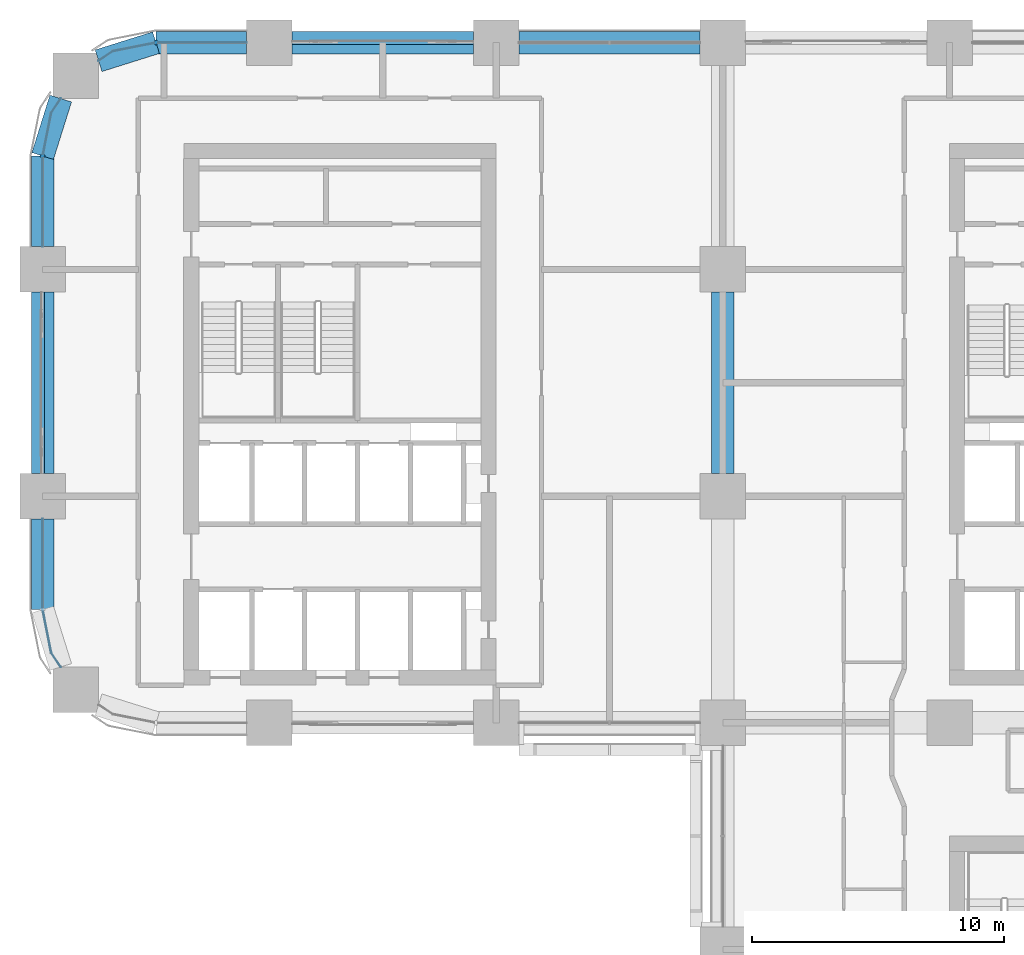
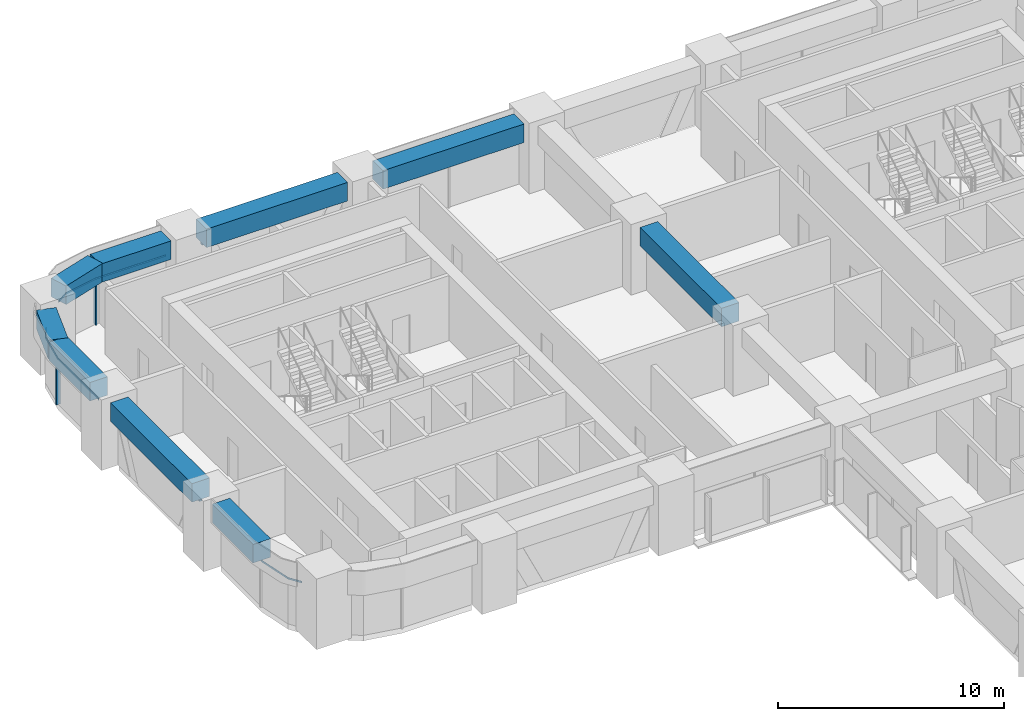
# One storey, part 6 of 18: 9 beams, 7 members, 5 elements without a shape of their own.
"""IFC4 building model written with IfcOpenShell, lengths in metres."""

from ifc_helpers import new_model, si_unit, direction, frame, origin, origin_2d, place, context, subcontext, project, spatial, polyline, rectangle, outline, extrude, material, material_profile, profile_set, type_object, element, aggregate, save


model = new_model("IFC4")

# Units and contexts
model_context = context("Model", 3, precision=1e-05, world=origin(), true_north=direction((0.0, 1.0)))
body_context = subcontext(model_context, "Body", "Model", "MODEL_VIEW")
ifc_project = project(units=[si_unit("LENGTHUNIT", "METRE"), si_unit("AREAUNIT", "SQUARE_METRE"), si_unit("VOLUMEUNIT", "CUBIC_METRE"), si_unit("PLANEANGLEUNIT", "RADIAN"), si_unit("MASSUNIT", "GRAM", prefix="KILO")], contexts=[model_context])

# Site, building, storey
site_placement = place(None, origin())
site = spatial("IfcSite", under=ifc_project, at=site_placement, CompositionType="ELEMENT")
building_placement = place(site_placement, origin())
building = spatial("IfcBuilding", under=site, at=building_placement, Name="Tessera Arch", CompositionType="ELEMENT")
storey_placement = place(building_placement, frame((0.0, 0.0, 104.39990234375)))
storey = spatial("IfcBuildingStorey", under=building, at=storey_placement, Name="L24", CompositionType="ELEMENT", Elevation=104.39990234375)

# Curtain wall, member
ifc_material_1 = material(Name="CW2 curtain wall")
curtain_wall_type_1 = type_object("IfcCurtainWallType", Name="CW2 curtain wall", PredefinedType="NOTDEFINED", material=ifc_material_1)
curtain_wall_1_placement = place(storey_placement, origin())
curtain_wall_1 = element("IfcCurtainWall", 1, at=curtain_wall_1_placement, inside=storey, type_object=curtain_wall_type_1, Name="CW2 curtain wall N54.0/4 L24", PredefinedType="NOTDEFINED")
ifc_material_2 = material(Name="Anodised aluminium pale metal", Category="aluminium")
ifc_material_profile_1 = material_profile(ifc_material_2, rectangle(XDim=0.199951171875, YDim=0.080078125, at=origin_2d()), Name="AL 80x200")
ifc_profile_set_1 = profile_set([ifc_material_profile_1], Name="Anodised aluminium pale metal")
member_type_1 = type_object("IfcMemberType", Name="CW2 mullion", PredefinedType="MULLION", material=ifc_profile_set_1)
member_1_placement = place(storey_placement, frame((4.5, 54.0, 0.0), z_axis=(0.0, 0.0, 1.0), x_axis=(0.0, -1.0, 0.0)))
member_1 = element("IfcMember", 2, at=member_1_placement, type_object=member_type_1, Name="CW2 mullion N54.0/4 1", PredefinedType="MULLION", context=body_context, shape_type="SweptSolid", body=[
    extrude(rectangle(XDim=0.199951171875, YDim=0.080078125, at=origin_2d()), origin(), (0.0, 0.0, 1.0), 2.400146484375),
])

curtain_wall_2_placement = place(storey_placement, origin())
curtain_wall_2 = element("IfcCurtainWall", 3, at=curtain_wall_2_placement, inside=storey, type_object=curtain_wall_type_1, Name="CW2 curtain wall W0.27/0 L24", PredefinedType="NOTDEFINED")
member_2_placement = place(storey_placement, frame((0.0, 49.5, 0.0), z_axis=(0.0, 0.0, 1.0), x_axis=(1.0, 0.0, 0.0)))
member_2 = element("IfcMember", 4, at=member_2_placement, type_object=member_type_1, Name="CW2 mullion W0.27/0 1", PredefinedType="MULLION", context=body_context, shape_type="SweptSolid", body=[
    extrude(rectangle(XDim=0.199951171875, YDim=0.080078125, at=origin_2d()), origin(), (0.0, 0.0, 1.0), 2.400146484375),
])

# Member
ifc_material_3 = material(Name="Anodised aluminium pale metal", Category="aluminium")
ifc_material_profile_2 = material_profile(ifc_material_3, rectangle(XDim=0.199951171875, YDim=0.10009765625, at=origin_2d()), Name="AL 200x100")
ifc_profile_set_2 = profile_set([ifc_material_profile_2], Name="Anodised aluminium pale metal")
member_type_2 = type_object("IfcMemberType", Name="CW2 transom", PredefinedType="USERDEFINED", material=ifc_profile_set_2)
member_3_placement = place(storey_placement, frame((0.0, 0.0, 2.400146484375)))
member_3 = element("IfcMember", 5, at=member_3_placement, type_object=member_type_2, Name="CW2 transom N54.0/4 1", ObjectType="TRANSOM", PredefinedType="USERDEFINED", context=body_context, shape_type="SweptSolid", body=[
    extrude(outline(polyline([(4.5009765625, 53.989990234375), (8.10009765625, 53.989990234375), (8.10009765625, 54.010009765625), (4.4990234375, 54.010009765625), (2.77392578125, 53.6669921875), (2.21240234375, 53.29150390625), (2.2236328125, 53.27490234375), (2.78173828125, 53.648193359375), (4.5009765625, 53.989990234375)])), origin(), (0.0, 0.0, 1.0), 0.099853515625),
])

aggregate(curtain_wall_1, [member_1, member_3])

member_4_placement = place(storey_placement, frame((0.0, 0.0, 2.400146484375)))
member_4 = element("IfcMember", 6, at=member_4_placement, type_object=member_type_2, Name="CW2 transom W0.27/0 1", ObjectType="TRANSOM", PredefinedType="USERDEFINED", context=body_context, shape_type="SweptSolid", body=[
    extrude(outline(polyline([(0.351806640625, 51.21826171875), (0.72509765625, 51.7763671875), (0.70849609375, 51.78759765625), (0.3330078125, 51.22607421875), (-0.010009765625, 49.5009765625), (-0.010009765625, 45.89990234375), (0.010009765625, 45.89990234375), (0.010009765625, 49.4990234375), (0.351806640625, 51.21826171875)])), origin(), (0.0, 0.0, 1.0), 0.099853515625),
])

aggregate(curtain_wall_2, [member_2, member_4])

# Curtain wall, member
curtain_wall_3_placement = place(storey_placement, origin())
curtain_wall_3 = element("IfcCurtainWall", 7, at=curtain_wall_3_placement, inside=storey, type_object=curtain_wall_type_1, Name="CW2 curtain wall W0.27/2 L24", PredefinedType="NOTDEFINED")
member_5_placement = place(storey_placement, frame((0.0, 0.0, 2.400146484375)))
member_5 = element("IfcMember", 8, at=member_5_placement, type_object=member_type_2, Name="CW2 transom W0.27/2 1", ObjectType="TRANSOM", PredefinedType="USERDEFINED", context=body_context, shape_type="SweptSolid", body=[
    extrude(outline(polyline([(0.010009765625, 31.5009765625), (0.010009765625, 35.10009765625), (-0.010009765625, 35.10009765625), (-0.010009765625, 31.4990234375), (0.3330078125, 29.77392578125), (0.70849609375, 29.21240234375), (0.72509765625, 29.2236328125), (0.351806640625, 29.78173828125), (0.010009765625, 31.5009765625)])), origin(), (0.0, 0.0, 1.0), 0.099853515625),
])
aggregate(curtain_wall_3, [member_5])

ifc_material_4 = material(Name="CW3 curtain wall")
curtain_wall_type_2 = type_object("IfcCurtainWallType", Name="CW3 curtain wall", PredefinedType="NOTDEFINED", material=ifc_material_4)
curtain_wall_4_placement = place(storey_placement, origin())
curtain_wall_4 = element("IfcCurtainWall", 9, at=curtain_wall_4_placement, inside=storey, type_object=curtain_wall_type_2, Name="CW3 curtain wall N54.0/3 L24", PredefinedType="NOTDEFINED")
ifc_material_5 = material(Name="Anodised aluminium pale metal", Category="aluminium")
ifc_material_profile_3 = material_profile(ifc_material_5, rectangle(XDim=0.139892578125, YDim=0.10009765625, at=origin_2d()), Name="AL 140x100")
ifc_profile_set_3 = profile_set([ifc_material_profile_3], Name="Anodised aluminium pale metal")
member_type_3 = type_object("IfcMemberType", Name="CW3 transom", PredefinedType="USERDEFINED", material=ifc_profile_set_3)
member_6_placement = place(storey_placement, frame((17.10009765625, 54.0, 2.4501953125), z_axis=(-1.0, 0.0, 0.0), x_axis=(0.0, -1.0, 0.0)))
member_6 = element("IfcMember", 10, at=member_6_placement, type_object=member_type_3, Name="CW3 transom N54.0/3 1.1", ObjectType="TRANSOM", PredefinedType="USERDEFINED", context=body_context, shape_type="SweptSolid", body=[
    extrude(rectangle(XDim=0.139892578125, YDim=0.10009765625, at=origin_2d()), origin(), (0.0, 0.0, 1.0), 7.2001953125),
])
aggregate(curtain_wall_4, [member_6])

curtain_wall_5_placement = place(storey_placement, origin())
curtain_wall_5 = element("IfcCurtainWall", 11, at=curtain_wall_5_placement, inside=storey, type_object=curtain_wall_type_2, Name="CW3 curtain wall W0.27/1 L24", PredefinedType="NOTDEFINED")
member_7_placement = place(storey_placement, frame((0.0, 44.10009765625, 2.4501953125), z_axis=(0.0, -1.0, 0.0), x_axis=(1.0, 0.0, 0.0)))
member_7 = element("IfcMember", 12, at=member_7_placement, type_object=member_type_3, Name="CW3 transom W0.27/1 1.1", ObjectType="TRANSOM", PredefinedType="USERDEFINED", context=body_context, shape_type="SweptSolid", body=[
    extrude(rectangle(XDim=0.139892578125, YDim=0.10009765625, at=origin_2d()), origin(), (0.0, 0.0, 1.0), 7.2001953125),
])
aggregate(curtain_wall_5, [member_7])

# Beams
ifc_material_6 = material(Name="Concrete C80/95", Category="concrete")
ifc_material_profile_4 = material_profile(ifc_material_6, rectangle(XDim=0.89990234375, YDim=1.0, at=origin_2d()), Name="RC spandrel beam 900 x 1000 Concrete C80/95")
ifc_profile_set_4 = profile_set([ifc_material_profile_4], Name="Concrete C80/95")
beam_type = type_object("IfcBeamType", Name="RC spandrel beam 900 x 1000 Concrete C80/95", PredefinedType="BEAM", material=ifc_profile_set_4)
for number, where, z_axis, x_axis, name in (
    (13, (26.10009765625, 54.0, 3.0), (-1.0, 0.0, 0.0), (0.0, -1.0, 0.0), "Spandrel beam L24 N54.0/2"),
    (14, (17.10009765625, 54.0, 3.0), (-1.0, 0.0, 0.0), (0.0, -1.0, 0.0), "Spandrel beam L24 N54.0/3"),
):
    element("IfcBeam", number, at=place(storey_placement, frame(where, z_axis=z_axis, x_axis=x_axis)), inside=storey, type_object=beam_type, Name=name, PredefinedType="BEAM", context=body_context, shape_type="SweptSolid", body=[
        extrude(rectangle(XDim=0.89990234375, YDim=1.0, at=origin_2d()), origin(), (0.0, 0.0, 1.0), 7.2001953125),
    ])
beam_1_placement = place(storey_placement, frame((8.10009765625, 54.0, 3.0), z_axis=(-1.0, 0.0, 0.0), x_axis=(0.0, -1.0, 0.0)))
element("IfcBeam", 15, at=beam_1_placement, inside=storey, type_object=beam_type, Name="Spandrel beam L24 N54.0/4.1", PredefinedType="BEAM", context=body_context, shape_type="SweptSolid", body=[
    extrude(rectangle(XDim=0.89990234375, YDim=1.0, at=origin_2d()), origin(), (0.0, 0.0, 1.0), 3.60009765625),
])
for number, where, z_axis, x_axis, name in (
    (16, (4.5, 54.0, 3.0), (-0.954041251279, -0.299675309057, 0.0), (0.299675309057, -0.954041251279, 0.0), "Spandrel beam L24 N54.0/4.2"),
    (17, (0.716796875, 51.781982421875, 3.0), (-0.299675309057, -0.954041251279, 0.0), (0.954041251279, -0.299675309057, 0.0), "Spandrel beam L24 W0.27/0.1"),
):
    element("IfcBeam", number, at=place(storey_placement, frame(where, z_axis=z_axis, x_axis=x_axis)), inside=storey, type_object=beam_type, Name=name, PredefinedType="BEAM", context=body_context, shape_type="SweptSolid", body=[
        extrude(rectangle(XDim=0.89990234375, YDim=1.0, at=origin_2d()), origin(), (0.0, 0.0, 1.0), 2.391845703125),
    ])
beam_2_placement = place(storey_placement, frame((0.0, 49.5, 3.0), z_axis=(0.0, -1.0, 0.0), x_axis=(1.0, 0.0, 0.0)))
element("IfcBeam", 18, at=beam_2_placement, inside=storey, type_object=beam_type, Name="Spandrel beam L24 W0.27/0.2", PredefinedType="BEAM", context=body_context, shape_type="SweptSolid", body=[
    extrude(rectangle(XDim=0.89990234375, YDim=1.0, at=origin_2d()), origin(), (0.0, 0.0, 1.0), 3.60009765625),
])
beam_3_placement = place(storey_placement, frame((0.0, 44.10009765625, 3.0), z_axis=(0.0, -1.0, 0.0), x_axis=(1.0, 0.0, 0.0)))
element("IfcBeam", 19, at=beam_3_placement, inside=storey, type_object=beam_type, Name="Spandrel beam L24 W0.27/1", PredefinedType="BEAM", context=body_context, shape_type="SweptSolid", body=[
    extrude(rectangle(XDim=0.89990234375, YDim=1.0, at=origin_2d()), origin(), (0.0, 0.0, 1.0), 7.2001953125),
])
beam_4_placement = place(storey_placement, frame((0.0, 35.10009765625, 3.0), z_axis=(0.0, -1.0, 0.0), x_axis=(1.0, 0.0, 0.0)))
element("IfcBeam", 20, at=beam_4_placement, inside=storey, type_object=beam_type, Name="Spandrel beam L24 W0.27/2.1", PredefinedType="BEAM", context=body_context, shape_type="SweptSolid", body=[
    extrude(rectangle(XDim=0.89990234375, YDim=1.0, at=origin_2d()), origin(), (0.0, 0.0, 1.0), 3.60009765625),
])
beam_5_placement = place(storey_placement, frame((27.0, 36.89990234375, 3.0), z_axis=(0.0, 1.0, 0.0), x_axis=(-1.0, 0.0, 0.0)))
element("IfcBeam", 21, at=beam_5_placement, inside=storey, type_object=beam_type, Name="Interface beam L24 I0C4E-C4F", PredefinedType="BEAM", context=body_context, shape_type="SweptSolid", body=[
    extrude(rectangle(XDim=0.89990234375, YDim=1.0, at=origin_2d()), origin(), (0.0, 0.0, 1.0), 7.2001953125),
])

save(model, "model.ifc")
